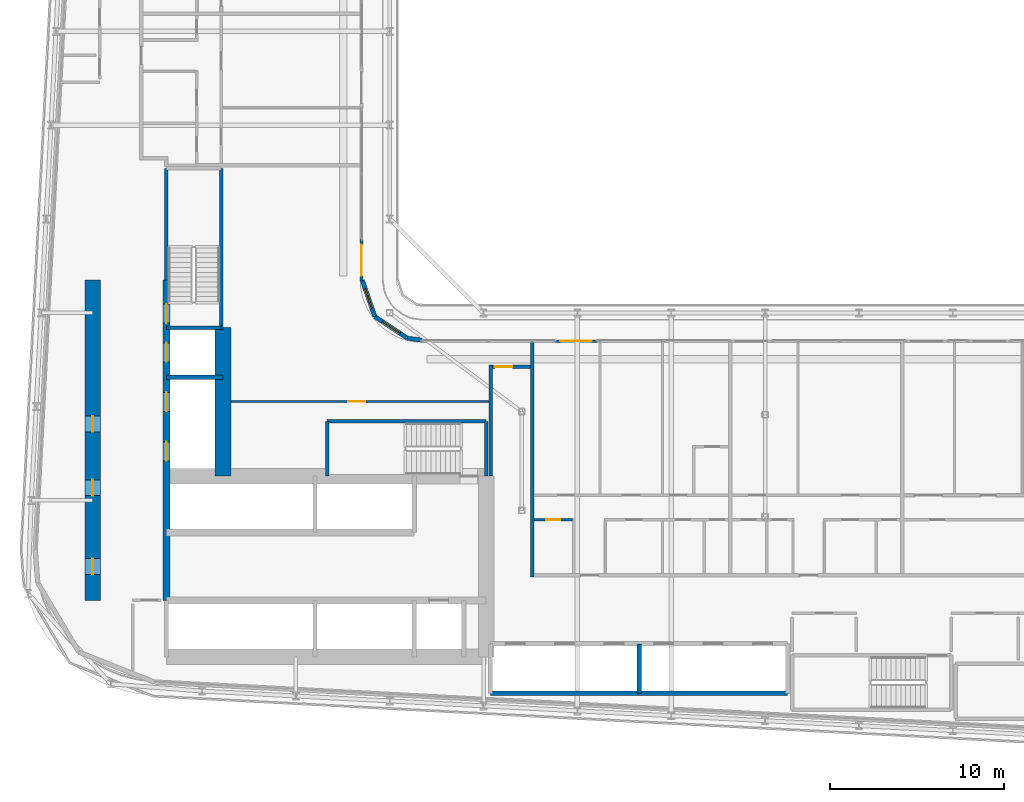
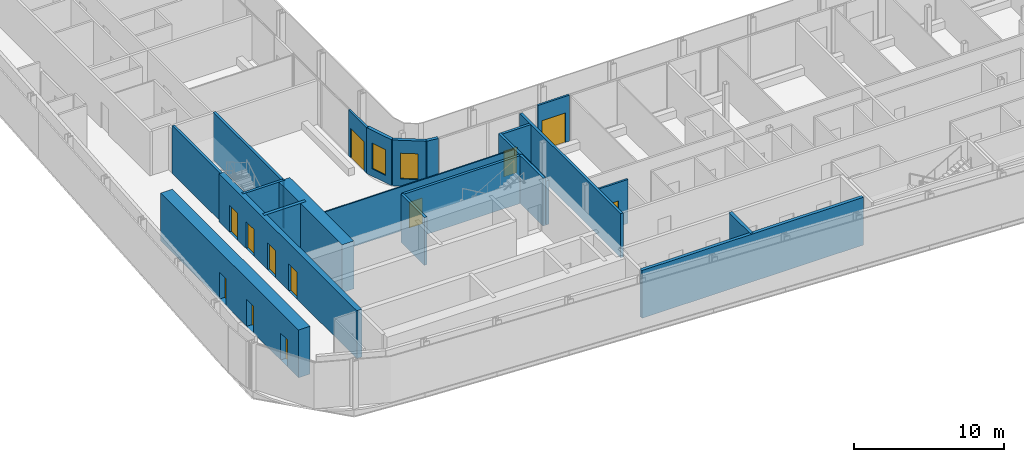
# One storey, part 13 of 28: 23 walls, 12 doors, 2 windows, 14 openings.
"""IFC4 building model written with IfcOpenShell, lengths in metres."""

from ifc_helpers import new_model, si_unit, direction, frame, frame_2d, origin, place, context, subcontext, project, spatial, rectangle, extrude, source, transform, mapped, material, layer, layer_set, type_object, element, fill, save


model = new_model("IFC4")

# Units and contexts
model_context = context("Model", 3, precision=1e-05, world=origin(), true_north=direction((0.0, 1.0)))
body_context = subcontext(model_context, "Body", "Model", "MODEL_VIEW")
ifc_project = project(units=[si_unit("LENGTHUNIT", "METRE"), si_unit("AREAUNIT", "SQUARE_METRE"), si_unit("VOLUMEUNIT", "CUBIC_METRE"), si_unit("PLANEANGLEUNIT", "RADIAN"), si_unit("MASSUNIT", "GRAM", prefix="KILO")], contexts=[model_context])

# Site, building, storey
site_placement = place(None, origin())
site = spatial("IfcSite", under=ifc_project, at=site_placement, CompositionType="ELEMENT")
building_placement = place(site_placement, origin())
building = spatial("IfcBuilding", under=site, at=building_placement, Name="Kheshtan School and Residences Tower", CompositionType="ELEMENT")
storey_placement = place(building_placement, frame((0.0, 0.0, 94.10009765625)))
storey = spatial("IfcBuildingStorey", under=building, at=storey_placement, Name="L21", CompositionType="ELEMENT", Elevation=94.10009765625)

# Wall, openings, doors
ifc_material_1 = material(Name="Concrete C50/60", Category="concrete")
ifc_layer_1 = layer(ifc_material_1, 0.39990234375)
ifc_layer_set_1 = layer_set([ifc_layer_1], Name="Core wall 400 Concrete C50/60")
wall_type_1 = type_object("IfcWallType", Name="Core wall 400 Concrete C50/60", PredefinedType="SHEAR", material=ifc_layer_set_1)
wall_1_placement = place(storey_placement, frame((34.75, 29.050048828125, 0.0), z_axis=(0.0, 0.0, 1.0), x_axis=(0.0, 1.0, 0.0)))
wall_1 = element("IfcWall", 1, at=wall_1_placement, inside=storey, type_object=wall_type_1, Name="Core wall CW-HALL-W1", PredefinedType="SHEAR", context=body_context, shape_type="SweptSolid", body=[
    extrude(rectangle(XDim=18.449951171875, YDim=0.39990234375, at=frame_2d((9.22509765625, 0.0))), origin(), (0.0, 0.0, 1.0), 3.89990234375),
])
opening_1_placement = place(wall_1_placement, frame((8.02490234375, 0.0, 0.0)))
opening_1 = element("IfcOpeningElement", 2, at=opening_1_placement, cuts=wall_1, Name="Opening LD", PredefinedType="OPENING", context=body_context, shape_type="SweptSolid", body=[
    extrude(rectangle(XDim=1.10009765625, YDim=2.199951171875, at=frame_2d((0.550048828125, 1.10009765625))), frame((0.0, 0.2099609375, 0.0), z_axis=(0.0, -1.0, 0.0), x_axis=(1.0, 0.0, 0.0)), (0.0, 0.0, 1.0), 0.419921875),
])
opening_2_placement = place(wall_1_placement, frame((10.875, 0.0, 0.0)))
opening_2 = element("IfcOpeningElement", 3, at=opening_2_placement, cuts=wall_1, Name="Opening LD", PredefinedType="OPENING", context=body_context, shape_type="SweptSolid", body=[
    extrude(rectangle(XDim=1.10009765625, YDim=2.199951171875, at=frame_2d((0.550048828125, 1.10009765625))), frame((0.0, 0.2099609375, 0.0), z_axis=(0.0, -1.0, 0.0), x_axis=(1.0, 0.0, 0.0)), (0.0, 0.0, 1.0), 0.419921875),
])
opening_3_placement = place(wall_1_placement, frame((13.72509765625, 0.0, 0.0)))
opening_3 = element("IfcOpeningElement", 4, at=opening_3_placement, cuts=wall_1, Name="Opening LD", PredefinedType="OPENING", context=body_context, shape_type="SweptSolid", body=[
    extrude(rectangle(XDim=1.10009765625, YDim=2.199951171875, at=frame_2d((0.550048828125, 1.10009765625))), frame((0.0, 0.2099609375, 0.0), z_axis=(0.0, -1.0, 0.0), x_axis=(1.0, 0.0, 0.0)), (0.0, 0.0, 1.0), 0.419921875),
])
opening_4_placement = place(wall_1_placement, frame((15.949951171875, 0.0, 0.0)))
opening_4 = element("IfcOpeningElement", 5, at=opening_4_placement, cuts=wall_1, Name="Opening ST2D", PredefinedType="OPENING", context=body_context, shape_type="SweptSolid", body=[
    extrude(rectangle(XDim=1.10009765625, YDim=2.199951171875, at=frame_2d((0.550048828125, 1.10009765625))), frame((0.0, 0.2099609375, 0.0), z_axis=(0.0, -1.0, 0.0), x_axis=(1.0, 0.0, 0.0)), (0.0, 0.0, 1.0), 0.419921875),
])
ifc_material_2 = material(Name="Stainless steel door leaves", Category="steel")
door_type_1 = type_object("IfcDoorType", Name="Lift landing door 1100", OperationType="SLIDING_TO_LEFT", PredefinedType="DOOR", material=ifc_material_2)
shared_shape_1 = source(origin(), body_context, "Body", "SweptSolid", [
    extrude(rectangle(XDim=1.10009765625, YDim=2.199951171875, at=frame_2d((0.550048828125, 1.10009765625))), frame((0.0, 0.02490234375, 0.0), z_axis=(0.0, -1.0, 0.0), x_axis=(1.0, 0.0, 0.0)), (0.0, 0.0, 1.0), 0.050048828125),
])
door_1_placement = place(opening_1_placement, origin())
door_1 = element("IfcDoor", 6, at=door_1_placement, inside=storey, type_object=door_type_1, Name="Lift SV1 landing door", OperationType="SLIDING_TO_LEFT", OverallHeight=2.199951171875, OverallWidth=1.10009765625, PredefinedType="DOOR", context=body_context, shape_type="MappedRepresentation", body=[
    mapped(shared_shape_1, transform((0.0, 0.0, 0.0), x_axis=(1.0, 0.0, 0.0), y_axis=(0.0, 1.0, 0.0), z_axis=(0.0, 0.0, 1.0), scale=1.0)),
])
fill(opening_1, door_1)
door_2_placement = place(opening_2_placement, origin())
door_2 = element("IfcDoor", 7, at=door_2_placement, inside=storey, type_object=door_type_1, Name="Lift SV2 landing door", OperationType="SLIDING_TO_LEFT", OverallHeight=2.199951171875, OverallWidth=1.10009765625, PredefinedType="DOOR", context=body_context, shape_type="MappedRepresentation", body=[
    mapped(shared_shape_1, transform((0.0, 0.0, 0.0), x_axis=(1.0, 0.0, 0.0), y_axis=(0.0, 1.0, 0.0), z_axis=(0.0, 0.0, 1.0), scale=1.0)),
])
fill(opening_2, door_2)
door_3_placement = place(opening_3_placement, origin())
door_3 = element("IfcDoor", 8, at=door_3_placement, inside=storey, type_object=door_type_1, Name="Lift FFL1 landing door", OperationType="SLIDING_TO_LEFT", OverallHeight=2.199951171875, OverallWidth=1.10009765625, PredefinedType="DOOR", context=body_context, shape_type="MappedRepresentation", body=[
    mapped(shared_shape_1, transform((0.0, 0.0, 0.0), x_axis=(1.0, 0.0, 0.0), y_axis=(0.0, 1.0, 0.0), z_axis=(0.0, 0.0, 1.0), scale=1.0)),
])
fill(opening_3, door_3)
ifc_material_3 = material(Name="Steel door leaf, galvanised", Category="steel")
door_type_2 = type_object("IfcDoorType", Name="Stair door 1100 steel 90 min", OperationType="SINGLE_SWING_LEFT", PredefinedType="DOOR", material=ifc_material_3)
shared_shape_2 = source(origin(), body_context, "Body", "SweptSolid", [
    extrude(rectangle(XDim=1.10009765625, YDim=2.199951171875, at=frame_2d((0.550048828125, 1.10009765625))), frame((0.0, 0.02490234375, 0.0), z_axis=(0.0, -1.0, 0.0), x_axis=(1.0, 0.0, 0.0)), (0.0, 0.0, 1.0), 0.050048828125),
])
door_4_placement = place(opening_4_placement, origin())
door_4 = element("IfcDoor", 9, at=door_4_placement, inside=storey, type_object=door_type_2, Name="Stair ST2 door", OperationType="SINGLE_SWING_RIGHT", OverallHeight=2.199951171875, OverallWidth=1.10009765625, PredefinedType="DOOR", context=body_context, shape_type="MappedRepresentation", body=[
    mapped(shared_shape_2, transform((0.0, 0.0, 0.0), x_axis=(1.0, 0.0, 0.0), y_axis=(0.0, 1.0, 0.0), z_axis=(0.0, 0.0, 1.0), scale=1.0)),
])
fill(opening_4, door_4)

# Wall
ifc_material_4 = material(Name="Concrete C80/95", Category="concrete")
ifc_layer_2 = layer(ifc_material_4, 0.89990234375)
ifc_layer_set_2 = layer_set([ifc_layer_2], Name="Core wall 900 Concrete C80/95")
wall_type_2 = type_object("IfcWallType", Name="Core wall 900 Concrete C80/95", PredefinedType="SHEAR", material=ifc_layer_set_2)
wall_2_placement = place(storey_placement, frame((38.0, 36.199951171875, 0.0), z_axis=(0.0, 0.0, 1.0), x_axis=(0.0, 1.0, 0.0)))
element("IfcWall", 10, at=wall_2_placement, inside=storey, type_object=wall_type_2, Name="Core wall CW-FRONT-W", PredefinedType="SHEAR", context=body_context, shape_type="SweptSolid", body=[
    extrude(rectangle(XDim=8.550048828125, YDim=0.89990234375, at=frame_2d((4.27490234375, 0.0))), origin(), (0.0, 0.0, 1.0), 3.89990234375),
])

# Wall, openings, doors
wall_3_placement = place(storey_placement, frame((30.5, 29.050048828125, 0.0), z_axis=(0.0, 0.0, 1.0), x_axis=(0.0, 1.0, 0.0)))
wall_3 = element("IfcWall", 11, at=wall_3_placement, inside=storey, type_object=wall_type_2, Name="Core wall CW-REAR-W", PredefinedType="SHEAR", context=body_context, shape_type="SweptSolid", body=[
    extrude(rectangle(XDim=18.449951171875, YDim=0.89990234375, at=frame_2d((9.22509765625, 0.0))), origin(), (0.0, 0.0, 1.0), 3.89990234375),
])
opening_5_placement = place(wall_3_placement, frame((1.5, 0.0, 0.0)))
opening_5 = element("IfcOpeningElement", 12, at=opening_5_placement, cuts=wall_3, Name="Opening SR90", PredefinedType="OPENING", context=body_context, shape_type="SweptSolid", body=[
    extrude(rectangle(XDim=0.89990234375, YDim=2.199951171875, at=frame_2d((0.449951171875, 1.10009765625))), frame((0.0, 0.4599609375, 0.0), z_axis=(0.0, -1.0, 0.0), x_axis=(1.0, 0.0, 0.0)), (0.0, 0.0, 1.0), 0.919921875),
])
opening_6_placement = place(wall_3_placement, frame((6.030029296875, 0.0, 0.0)))
opening_6 = element("IfcOpeningElement", 13, at=opening_6_placement, cuts=wall_3, Name="Opening SR90", PredefinedType="OPENING", context=body_context, shape_type="SweptSolid", body=[
    extrude(rectangle(XDim=0.89990234375, YDim=2.199951171875, at=frame_2d((0.449951171875, 1.10009765625))), frame((0.0, 0.4599609375, 0.0), z_axis=(0.0, -1.0, 0.0), x_axis=(1.0, 0.0, 0.0)), (0.0, 0.0, 1.0), 0.919921875),
])
opening_7_placement = place(wall_3_placement, frame((9.699951171875, 0.0, 0.0)))
opening_7 = element("IfcOpeningElement", 14, at=opening_7_placement, cuts=wall_3, Name="Opening SR90", PredefinedType="OPENING", context=body_context, shape_type="SweptSolid", body=[
    extrude(rectangle(XDim=0.89990234375, YDim=2.199951171875, at=frame_2d((0.449951171875, 1.10009765625))), frame((0.0, 0.4599609375, 0.0), z_axis=(0.0, -1.0, 0.0), x_axis=(1.0, 0.0, 0.0)), (0.0, 0.0, 1.0), 0.919921875),
])
door_type_3 = type_object("IfcDoorType", Name="Service room door 900 steel 90 min", OperationType="SINGLE_SWING_LEFT", PredefinedType="DOOR", material=ifc_material_3)
shared_shape_3 = source(origin(), body_context, "Body", "SweptSolid", [
    extrude(rectangle(XDim=0.89990234375, YDim=2.199951171875, at=frame_2d((0.449951171875, 1.10009765625))), frame((0.0, 0.02490234375, 0.0), z_axis=(0.0, -1.0, 0.0), x_axis=(1.0, 0.0, 0.0)), (0.0, 0.0, 1.0), 0.050048828125),
])
door_5_placement = place(opening_5_placement, origin())
door_5 = element("IfcDoor", 15, at=door_5_placement, inside=storey, type_object=door_type_3, Name="Service room door", OperationType="SINGLE_SWING_LEFT", OverallHeight=2.199951171875, OverallWidth=0.89990234375, PredefinedType="DOOR", context=body_context, shape_type="MappedRepresentation", body=[
    mapped(shared_shape_3, transform((0.0, 0.0, 0.0), x_axis=(1.0, 0.0, 0.0), y_axis=(0.0, 1.0, 0.0), z_axis=(0.0, 0.0, 1.0), scale=1.0)),
])
fill(opening_5, door_5)
door_6_placement = place(opening_6_placement, origin())
door_6 = element("IfcDoor", 16, at=door_6_placement, inside=storey, type_object=door_type_3, Name="Service room door", OperationType="SINGLE_SWING_RIGHT", OverallHeight=2.199951171875, OverallWidth=0.89990234375, PredefinedType="DOOR", context=body_context, shape_type="MappedRepresentation", body=[
    mapped(shared_shape_3, transform((0.0, 0.0, 0.0), x_axis=(1.0, 0.0, 0.0), y_axis=(0.0, 1.0, 0.0), z_axis=(0.0, 0.0, 1.0), scale=1.0)),
])
fill(opening_6, door_6)
door_7_placement = place(opening_7_placement, origin())
door_7 = element("IfcDoor", 17, at=door_7_placement, inside=storey, type_object=door_type_3, Name="Service room door", OperationType="SINGLE_SWING_LEFT", OverallHeight=2.199951171875, OverallWidth=0.89990234375, PredefinedType="DOOR", context=body_context, shape_type="MappedRepresentation", body=[
    mapped(shared_shape_3, transform((0.0, 0.0, 0.0), x_axis=(1.0, 0.0, 0.0), y_axis=(0.0, 1.0, 0.0), z_axis=(0.0, 0.0, 1.0), scale=1.0)),
])
fill(opening_7, door_7)

# Wall
ifc_material_5 = material(Name="Gypsum board on steel studs with fire boards", Category="steel")
ifc_layer_3 = layer(ifc_material_5, 0.199951171875)
ifc_layer_set_3 = layer_set([ifc_layer_3], Name="Corridor wall 200")
wall_type_3 = type_object("IfcWallType", Name="Corridor wall 200", PredefinedType="PARTITIONING", material=ifc_layer_set_3)
wall_4_placement = place(storey_placement, frame((53.39990234375, 36.198974609375, 0.0), z_axis=(0.0, 0.0, 1.0), x_axis=(0.0, 1.0, 0.0)))
element("IfcWall", 18, at=wall_4_placement, inside=storey, type_object=wall_type_3, Name="Partition L21-030", PredefinedType="PARTITIONING", context=body_context, shape_type="SweptSolid", body=[
    extrude(rectangle(XDim=6.401123046875, YDim=0.199951171875, at=frame_2d((3.20068359375, 0.0))), origin(), (0.0, 0.0, 1.0), 3.599853515625),
])

# Wall, opening, door
wall_5_placement = place(storey_placement, frame((53.5, 42.5, 0.0), z_axis=(0.0, 0.0, 1.0), x_axis=(1.0, 0.0, 0.0)))
wall_5 = element("IfcWall", 19, at=wall_5_placement, inside=storey, type_object=wall_type_3, Name="Partition L21-031", PredefinedType="PARTITIONING", context=body_context, shape_type="SweptSolid", body=[
    extrude(rectangle(XDim=2.199951171875, YDim=0.199951171875, at=frame_2d((1.10009765625, 0.0))), origin(), (0.0, 0.0, 1.0), 3.599853515625),
])
opening_8_placement = place(wall_5_placement, frame((0.14990234375, 0.0, 0.0)))
opening_8 = element("IfcOpeningElement", 20, at=opening_8_placement, cuts=wall_5, Name="Opening D21-050", PredefinedType="OPENING", context=body_context, shape_type="SweptSolid", body=[
    extrude(rectangle(XDim=1.0, YDim=2.10009765625, at=frame_2d((0.5, 1.050048828125))), frame((0.0, 0.10986328125, 0.0), z_axis=(0.0, -1.0, 0.0), x_axis=(1.0, 0.0, 0.0)), (0.0, 0.0, 1.0), 0.219970703125),
])
ifc_material_6 = material(Name="Steel-framed fire-resisting door leaf", Category="steel")
door_type_4 = type_object("IfcDoorType", Name="Fire door FD60 1000 x 2100", OperationType="SINGLE_SWING_LEFT", PredefinedType="DOOR", material=ifc_material_6)
shared_shape_4 = source(origin(), body_context, "Body", "SweptSolid", [
    extrude(rectangle(XDim=1.0, YDim=2.10009765625, at=frame_2d((0.5, 1.050048828125))), frame((0.0, 0.02490234375, 0.0), z_axis=(0.0, -1.0, 0.0), x_axis=(1.0, 0.0, 0.0)), (0.0, 0.0, 1.0), 0.050048828125),
])
door_8_placement = place(opening_8_placement, origin())
door_8 = element("IfcDoor", 21, at=door_8_placement, inside=storey, type_object=door_type_4, Name="Door D21-050", OperationType="SINGLE_SWING_RIGHT", OverallHeight=2.10009765625, OverallWidth=1.0, PredefinedType="DOOR", context=body_context, shape_type="MappedRepresentation", body=[
    mapped(shared_shape_4, transform((0.0, 0.0, 0.0), x_axis=(1.0, 0.0, 0.0), y_axis=(0.0, 1.0, 0.0), z_axis=(0.0, 0.0, 1.0), scale=1.0)),
])
fill(opening_8, door_8)

# Wall, opening, window
ifc_material_7 = material(Name="Concrete C40/50 with ceramic cladding and mineral wool insulation", Category="concrete")
ifc_layer_4 = layer(ifc_material_7, 0.25)
ifc_layer_set_4 = layer_set([ifc_layer_4], Name="External wall 250 ceramic clad")
wall_type_4 = type_object("IfcWallType", Name="External wall 250 ceramic clad", PredefinedType="SOLIDWALL", material=ifc_layer_set_4)
wall_6_placement = place(storey_placement, frame((46.01806640625, 47.470947265625, 0.0), z_axis=(0.0, 0.0, 1.0), x_axis=(0.328791208903, -0.944402637093, 0.0)))
wall_6 = element("IfcWall", 22, at=wall_6_placement, inside=storey, type_object=wall_type_4, Name="External wall L21 5", PredefinedType="SOLIDWALL", context=body_context, shape_type="SweptSolid", body=[
    extrude(rectangle(XDim=2.20458984375, YDim=0.25, at=frame_2d((1.102294921875, 0.0))), origin(), (0.0, 0.0, 1.0), 3.75),
])
opening_9_placement = place(wall_6_placement, frame((0.5029296875, 0.0, 0.60009765625)))
opening_9 = element("IfcOpeningElement", 23, at=opening_9_placement, cuts=wall_6, Name="Opening WN-E", PredefinedType="OPENING", context=body_context, shape_type="SweptSolid", body=[
    extrude(rectangle(XDim=1.199951171875, YDim=2.10009765625, at=frame_2d((0.60009765625, 1.050048828125))), frame((0.0, 0.135009765625, 0.0), z_axis=(0.0, -1.0, 0.0), x_axis=(1.0, 0.0, 0.0)), (0.0, 0.0, 1.0), 0.27001953125),
])
ifc_material_8 = material(Name="Clear low-e glass in thermally broken aluminium frame", Category="aluminium")
window_type = type_object("IfcWindowType", Name="Window WN-E", PartitioningType="SINGLE_PANEL", PredefinedType="WINDOW", material=ifc_material_8)
shared_shape_5 = source(origin(), body_context, "Body", "SweptSolid", [
    extrude(rectangle(XDim=1.199951171875, YDim=2.10009765625, at=frame_2d((0.60009765625, 1.050048828125))), frame((0.0, 0.030029296875, 0.0), z_axis=(0.0, -1.0, 0.0), x_axis=(1.0, 0.0, 0.0)), (0.0, 0.0, 1.0), 0.06005859375),
])
window_1_placement = place(opening_9_placement, origin())
window_1 = element("IfcWindow", 24, at=window_1_placement, inside=storey, type_object=window_type, Name="Window L21 5", OverallHeight=2.10009765625, OverallWidth=1.199951171875, PartitioningType="SINGLE_PANEL", PredefinedType="WINDOW", context=body_context, shape_type="MappedRepresentation", body=[
    mapped(shared_shape_5, transform((0.0, 0.0, 0.0), x_axis=(1.0, 0.0, 0.0), y_axis=(0.0, 1.0, 0.0), z_axis=(0.0, 0.0, 1.0), scale=1.0)),
])
fill(opening_9, window_1)

wall_7_placement = place(storey_placement, frame((46.742919921875, 45.388916015625, 0.0), z_axis=(0.0, 0.0, 1.0), x_axis=(0.831449265529, -0.555600682912, 0.0)))
wall_7 = element("IfcWall", 25, at=wall_7_placement, inside=storey, type_object=wall_type_4, Name="External wall L21 6", PredefinedType="SOLIDWALL", context=body_context, shape_type="SweptSolid", body=[
    extrude(rectangle(XDim=2.25146484375, YDim=0.25, at=frame_2d((1.125732421875, 0.0))), origin(), (0.0, 0.0, 1.0), 3.75),
])
opening_10_placement = place(wall_7_placement, frame((0.52490234375, 0.0, 0.60009765625)))
opening_10 = element("IfcOpeningElement", 26, at=opening_10_placement, cuts=wall_7, Name="Opening WN-E", PredefinedType="OPENING", context=body_context, shape_type="SweptSolid", body=[
    extrude(rectangle(XDim=1.199951171875, YDim=2.10009765625, at=frame_2d((0.60009765625, 1.050048828125))), frame((0.0, 0.135009765625, 0.0), z_axis=(0.0, -1.0, 0.0), x_axis=(1.0, 0.0, 0.0)), (0.0, 0.0, 1.0), 0.27001953125),
])
window_2_placement = place(opening_10_placement, origin())
window_2 = element("IfcWindow", 27, at=window_2_placement, inside=storey, type_object=window_type, Name="Window L21 6", OverallHeight=2.10009765625, OverallWidth=1.199951171875, PartitioningType="SINGLE_PANEL", PredefinedType="WINDOW", context=body_context, shape_type="MappedRepresentation", body=[
    mapped(shared_shape_5, transform((0.0, 0.0, 0.0), x_axis=(1.0, 0.0, 0.0), y_axis=(0.0, 1.0, 0.0), z_axis=(0.0, 0.0, 1.0), scale=1.0)),
])
fill(opening_10, window_2)

# Wall
wall_8_placement = place(storey_placement, frame((48.614990234375, 44.137939453125, 0.0), z_axis=(0.0, 0.0, 1.0), x_axis=(0.990741504246, -0.135761819977, 0.0)))
element("IfcWall", 28, at=wall_8_placement, inside=storey, type_object=wall_type_4, Name="External wall L21 7", PredefinedType="SOLIDWALL", context=body_context, shape_type="SweptSolid", body=[
    extrude(rectangle(XDim=0.83984375, YDim=0.25, at=frame_2d((0.419921875, 0.0))), origin(), (0.0, 0.0, 1.0), 3.75),
])

# Wall, opening, door
ifc_material_9 = material(Name="Aluminium frame wall with insulated infill", Category="aluminium")
ifc_layer_5 = layer(ifc_material_9, 0.14990234375)
ifc_layer_set_5 = layer_set([ifc_layer_5], Name="Glazing frame wall 150")
wall_type_5 = type_object("IfcWallType", Name="Glazing frame wall 150", PredefinedType="SOLIDWALL", material=ifc_layer_set_5)
wall_9_placement = place(storey_placement, frame((45.97509765625, 49.830078125, 0.0), z_axis=(0.0, 0.0, 1.0), x_axis=(0.0, -1.0, 0.0)))
wall_9 = element("IfcWall", 29, at=wall_9_placement, inside=storey, type_object=wall_type_5, Name="Balcony door wall L21 4.4", PredefinedType="SOLIDWALL", context=body_context, shape_type="SweptSolid", body=[
    extrude(rectangle(XDim=2.400146484375, YDim=0.14990234375, at=frame_2d((1.2001953125, 0.0))), origin(), (0.0, 0.0, 1.0), 3.75),
])
opening_11_placement = place(wall_9_placement, frame((0.300048828125, 0.0, 0.0)))
opening_11 = element("IfcOpeningElement", 30, at=opening_11_placement, cuts=wall_9, Name="Opening BD", PredefinedType="OPENING", context=body_context, shape_type="SweptSolid", body=[
    extrude(rectangle(XDim=1.800048828125, YDim=2.39990234375, at=frame_2d((0.89990234375, 1.199951171875))), frame((0.0, 0.0849609375, 0.0), z_axis=(0.0, -1.0, 0.0), x_axis=(1.0, 0.0, 0.0)), (0.0, 0.0, 1.0), 0.169921875),
])
door_type_5 = type_object("IfcDoorType", Name="Balcony sliding door", OperationType="SLIDING_TO_LEFT", PredefinedType="DOOR", material=ifc_material_8)
shared_shape_6 = source(origin(), body_context, "Body", "SweptSolid", [
    extrude(rectangle(XDim=1.800048828125, YDim=2.39990234375, at=frame_2d((0.89990234375, 1.199951171875))), frame((0.0, 0.02490234375, 0.0), z_axis=(0.0, -1.0, 0.0), x_axis=(1.0, 0.0, 0.0)), (0.0, 0.0, 1.0), 0.050048828125),
])
door_9_placement = place(opening_11_placement, origin())
door_9 = element("IfcDoor", 31, at=door_9_placement, inside=storey, type_object=door_type_5, Name="Balcony door L21 4.4", OperationType="SLIDING_TO_LEFT", OverallHeight=2.39990234375, OverallWidth=1.800048828125, PredefinedType="DOOR", context=body_context, shape_type="MappedRepresentation", body=[
    mapped(shared_shape_6, transform((0.0, 0.0, 0.0), x_axis=(1.0, 0.0, 0.0), y_axis=(0.0, 1.0, 0.0), z_axis=(0.0, 0.0, 1.0), scale=1.0)),
])
fill(opening_11, door_9)

wall_10_placement = place(storey_placement, frame((57.1240234375, 43.97509765625, 0.0), z_axis=(0.0, 0.0, 1.0), x_axis=(1.0, 0.0, 0.0)))
wall_10 = element("IfcWall", 32, at=wall_10_placement, inside=storey, type_object=wall_type_5, Name="Balcony door wall L21 8.1", PredefinedType="SOLIDWALL", context=body_context, shape_type="SweptSolid", body=[
    extrude(rectangle(XDim=2.39990234375, YDim=0.14990234375, at=frame_2d((1.199951171875, 0.0))), origin(), (0.0, 0.0, 1.0), 3.75),
])
opening_12_placement = place(wall_10_placement, frame((0.300048828125, 0.0, 0.0)))
opening_12 = element("IfcOpeningElement", 33, at=opening_12_placement, cuts=wall_10, Name="Opening BD", PredefinedType="OPENING", context=body_context, shape_type="SweptSolid", body=[
    extrude(rectangle(XDim=1.800048828125, YDim=2.39990234375, at=frame_2d((0.89990234375, 1.199951171875))), frame((0.0, 0.0849609375, 0.0), z_axis=(0.0, -1.0, 0.0), x_axis=(1.0, 0.0, 0.0)), (0.0, 0.0, 1.0), 0.169921875),
])
door_10_placement = place(opening_12_placement, origin())
door_10 = element("IfcDoor", 34, at=door_10_placement, inside=storey, type_object=door_type_5, Name="Balcony door L21 8.1", OperationType="SLIDING_TO_LEFT", OverallHeight=2.39990234375, OverallWidth=1.800048828125, PredefinedType="DOOR", context=body_context, shape_type="MappedRepresentation", body=[
    mapped(shared_shape_6, transform((0.0, 0.0, 0.0), x_axis=(1.0, 0.0, 0.0), y_axis=(0.0, 1.0, 0.0), z_axis=(0.0, 0.0, 1.0), scale=1.0)),
])
fill(opening_12, door_10)

ifc_material_10 = material(Name="Gypsum board on steel studs", Category="steel")
ifc_layer_6 = layer(ifc_material_10, 0.10009765625)
ifc_layer_set_6 = layer_set([ifc_layer_6], Name="Gypsum partition 100")
wall_type_6 = type_object("IfcWallType", Name="Gypsum partition 100", PredefinedType="PARTITIONING", material=ifc_layer_set_6)
wall_11_placement = place(storey_placement, frame((38.448974609375, 40.5, 0.0), z_axis=(0.0, 0.0, 1.0), x_axis=(1.0, 0.0, 0.0)))
wall_11 = element("IfcWall", 35, at=wall_11_placement, inside=storey, type_object=wall_type_6, Name="Partition L21-028", PredefinedType="PARTITIONING", context=body_context, shape_type="SweptSolid", body=[
    extrude(rectangle(XDim=14.85107421875, YDim=0.10009765625, at=frame_2d((7.425537109375, 0.0))), origin(), (0.0, 0.0, 1.0), 3.599853515625),
])
opening_13_placement = place(wall_11_placement, frame((6.7509765625, 0.0, 0.0)))
opening_13 = element("IfcOpeningElement", 36, at=opening_13_placement, cuts=wall_11, Name="Opening D21-049", PredefinedType="OPENING", context=body_context, shape_type="SweptSolid", body=[
    extrude(rectangle(XDim=1.0, YDim=2.10009765625, at=frame_2d((0.5, 1.050048828125))), frame((0.0, 0.06005859375, 0.0), z_axis=(0.0, -1.0, 0.0), x_axis=(1.0, 0.0, 0.0)), (0.0, 0.0, 1.0), 0.1201171875),
])
ifc_material_11 = material(Name="Veneered timber door leaf", Category="wood")
door_type_6 = type_object("IfcDoorType", Name="Door 1000 x 2100", OperationType="SINGLE_SWING_LEFT", PredefinedType="DOOR", material=ifc_material_11)
shared_shape_7 = source(origin(), body_context, "Body", "SweptSolid", [
    extrude(rectangle(XDim=1.0, YDim=2.10009765625, at=frame_2d((0.5, 1.050048828125))), frame((0.0, 0.02490234375, 0.0), z_axis=(0.0, -1.0, 0.0), x_axis=(1.0, 0.0, 0.0)), (0.0, 0.0, 1.0), 0.050048828125),
])
door_11_placement = place(opening_13_placement, origin())
door_11 = element("IfcDoor", 37, at=door_11_placement, inside=storey, type_object=door_type_6, Name="Door D21-049", OperationType="SINGLE_SWING_LEFT", OverallHeight=2.10009765625, OverallWidth=1.0, PredefinedType="DOOR", context=body_context, shape_type="MappedRepresentation", body=[
    mapped(shared_shape_7, transform((0.0, 0.0, 0.0), x_axis=(1.0, 0.0, 0.0), y_axis=(0.0, 1.0, 0.0), z_axis=(0.0, 0.0, 1.0), scale=1.0)),
])
fill(opening_13, door_11)

# Walls
ifc_material_12 = material(Name="Fire-board shaft wall system")
ifc_layer_7 = layer(ifc_material_12, 0.25)
ifc_layer_set_7 = layer_set([ifc_layer_7], Name="Shaft lining wall 250")
wall_type_7 = type_object("IfcWallType", Name="Shaft lining wall 250", PredefinedType="PARTITIONING", material=ifc_layer_set_7)
wall_12_placement = place(storey_placement, frame((61.949951171875, 23.699951171875, 0.0), z_axis=(0.0, 0.0, 1.0), x_axis=(0.0, 1.0, 0.0)))
element("IfcWall", 38, at=wall_12_placement, inside=storey, type_object=wall_type_7, Name="Shaft lining wall", PredefinedType="PARTITIONING", context=body_context, shape_type="SweptSolid", body=[
    extrude(rectangle(XDim=2.85009765625, YDim=0.25, at=frame_2d((1.425048828125, 0.0))), origin(), (0.0, 0.0, 1.0), 3.89990234375),
])
wall_13_placement = place(storey_placement, frame((53.39990234375, 23.699951171875, 0.0), z_axis=(0.0, 0.0, 1.0), x_axis=(1.0, 0.0, 0.0)))
element("IfcWall", 39, at=wall_13_placement, inside=storey, type_object=wall_type_7, Name="Shaft lining wall", PredefinedType="PARTITIONING", context=body_context, shape_type="SweptSolid", body=[
    extrude(rectangle(XDim=17.10009765625, YDim=0.25, at=frame_2d((8.550048828125, 0.0))), origin(), (0.0, 0.0, 1.0), 3.89990234375),
])
wall_14_placement = place(storey_placement, frame((34.75, 41.89990234375, 0.0), z_axis=(0.0, 0.0, 1.0), x_axis=(1.0, 0.0, 0.0)))
element("IfcWall", 40, at=wall_14_placement, inside=storey, type_object=wall_type_7, Name="Shaft lining wall", PredefinedType="PARTITIONING", context=body_context, shape_type="SweptSolid", body=[
    extrude(rectangle(XDim=3.25, YDim=0.25, at=frame_2d((1.625, 0.0))), origin(), (0.0, 0.0, 1.0), 3.89990234375),
])
wall_15_placement = place(storey_placement, frame((37.89990234375, 44.75, 0.0), z_axis=(0.0, 0.0, 1.0), x_axis=(1.0, 0.0, 0.0)))
element("IfcWall", 41, at=wall_15_placement, inside=storey, type_object=wall_type_7, Name="Shaft lining wall", PredefinedType="PARTITIONING", context=body_context, shape_type="SweptSolid", body=[
    extrude(rectangle(XDim=0.10009765625, YDim=0.25, at=frame_2d((0.050048828125, 0.0))), origin(), (0.0, 0.0, 1.0), 3.89990234375),
])
ifc_material_13 = material(Name="Concrete C40/50", Category="concrete")
ifc_layer_8 = layer(ifc_material_13, 0.199951171875)
ifc_layer_set_8 = layer_set([ifc_layer_8], Name="Stair enclosure wall 200 Concrete C40/50")
wall_type_8 = type_object("IfcWallType", Name="Stair enclosure wall 200 Concrete C40/50", PredefinedType="SHEAR", material=ifc_layer_set_8)
wall_16_placement = place(storey_placement, frame((43.989990234375, 39.35009765625, 0.0), z_axis=(0.0, 0.0, 1.0), x_axis=(1.0, 0.0, 0.0)))
element("IfcWall", 42, at=wall_16_placement, inside=storey, type_object=wall_type_8, Name="Stair enclosure wall ST1", PredefinedType="SHEAR", context=body_context, shape_type="SweptSolid", body=[
    extrude(rectangle(XDim=9.159912109375, YDim=0.199951171875, at=frame_2d((4.580078125, 0.0))), origin(), (0.0, 0.0, 1.0), 3.89990234375),
])
for number, where, z_axis, x_axis, name in (
    (43, (43.989990234375, 36.199951171875, 0.0), (0.0, 0.0, 1.0), (0.0, 1.0, 0.0), "Stair enclosure wall ST1"),
    (44, (53.14990234375, 36.199951171875, 0.0), (0.0, 0.0, 1.0), (0.0, 1.0, 0.0), "Stair enclosure wall ST1"),
):
    element("IfcWall", number, at=place(storey_placement, frame(where, z_axis=z_axis, x_axis=x_axis)), inside=storey, type_object=wall_type_8, Name=name, PredefinedType="SHEAR", context=body_context, shape_type="SweptSolid", body=[
        extrude(rectangle(XDim=3.150146484375, YDim=0.199951171875, at=frame_2d((1.5751953125, 0.0))), origin(), (0.0, 0.0, 1.0), 3.89990234375),
    ])
wall_17_placement = place(storey_placement, frame((34.75, 44.75, 0.0), z_axis=(0.0, 0.0, 1.0), x_axis=(1.0, 0.0, 0.0)))
element("IfcWall", 45, at=wall_17_placement, inside=storey, type_object=wall_type_8, Name="Stair enclosure wall ST2", PredefinedType="SHEAR", context=body_context, shape_type="SweptSolid", body=[
    extrude(rectangle(XDim=3.14990234375, YDim=0.199951171875, at=frame_2d((1.574951171875, 0.0))), origin(), (0.0, 0.0, 1.0), 3.89990234375),
])
wall_18_placement = place(storey_placement, frame((34.75, 47.5, 0.0), z_axis=(0.0, 0.0, 1.0), x_axis=(0.0, 1.0, 0.0)))
element("IfcWall", 46, at=wall_18_placement, inside=storey, type_object=wall_type_8, Name="Stair enclosure wall ST2", PredefinedType="SHEAR", context=body_context, shape_type="SweptSolid", body=[
    extrude(rectangle(XDim=6.409912109375, YDim=0.199951171875, at=frame_2d((3.205078125, 0.0))), origin(), (0.0, 0.0, 1.0), 3.89990234375),
])
wall_19_placement = place(storey_placement, frame((37.89990234375, 44.75, 0.0), z_axis=(0.0, 0.0, 1.0), x_axis=(0.0, 1.0, 0.0)))
element("IfcWall", 47, at=wall_19_placement, inside=storey, type_object=wall_type_8, Name="Stair enclosure wall ST2", PredefinedType="SHEAR", context=body_context, shape_type="SweptSolid", body=[
    extrude(rectangle(XDim=9.159912109375, YDim=0.199951171875, at=frame_2d((4.580078125, 0.0))), origin(), (0.0, 0.0, 1.0), 3.89990234375),
])
ifc_material_14 = material(Name="Twin gypsum board on steel studs with mineral wool", Category="steel")
ifc_layer_9 = layer(ifc_material_14, 0.199951171875)
ifc_layer_set_9 = layer_set([ifc_layer_9], Name="Unit demising wall 200")
wall_type_9 = type_object("IfcWallType", Name="Unit demising wall 200", PredefinedType="PARTITIONING", material=ifc_layer_set_9)
wall_20_placement = place(storey_placement, frame((55.800048828125, 30.39990234375, 0.0), z_axis=(0.0, 0.0, 1.0), x_axis=(0.0, 1.0, 0.0)))
element("IfcWall", 48, at=wall_20_placement, inside=storey, type_object=wall_type_9, Name="Partition L21-032", PredefinedType="PARTITIONING", context=body_context, shape_type="SweptSolid", body=[
    extrude(rectangle(XDim=13.5, YDim=0.199951171875, at=frame_2d((6.75, 0.0))), origin(), (0.0, 0.0, 1.0), 3.599853515625),
])

# Wall, opening, door
ifc_material_15 = material(Name="Moisture-resistant gypsum board on steel studs", Category="steel")
ifc_layer_10 = layer(ifc_material_15, 0.14990234375)
ifc_layer_set_10 = layer_set([ifc_layer_10], Name="Wet-room partition 150")
wall_type_10 = type_object("IfcWallType", Name="Wet-room partition 150", PredefinedType="PARTITIONING", material=ifc_layer_set_10)
wall_21_placement = place(storey_placement, frame((55.89990234375, 33.699951171875, 0.0), z_axis=(0.0, 0.0, 1.0), x_axis=(1.0, 0.0, 0.0)))
wall_21 = element("IfcWall", 49, at=wall_21_placement, inside=storey, type_object=wall_type_10, Name="Partition L21-034", PredefinedType="PARTITIONING", context=body_context, shape_type="SweptSolid", body=[
    extrude(rectangle(XDim=2.22509765625, YDim=0.14990234375, at=frame_2d((1.112548828125, 0.0))), origin(), (0.0, 0.0, 1.0), 3.599853515625),
])
opening_14_placement = place(wall_21_placement, frame((0.699951171875, 0.0, 0.0)))
opening_14 = element("IfcOpeningElement", 50, at=opening_14_placement, cuts=wall_21, Name="Opening D21-001", PredefinedType="OPENING", context=body_context, shape_type="SweptSolid", body=[
    extrude(rectangle(XDim=0.800048828125, YDim=2.10009765625, at=frame_2d((0.39990234375, 1.050048828125))), frame((0.0, 0.0849609375, 0.0), z_axis=(0.0, -1.0, 0.0), x_axis=(1.0, 0.0, 0.0)), (0.0, 0.0, 1.0), 0.169921875),
])
door_type_7 = type_object("IfcDoorType", Name="Door 800 x 2100", OperationType="SINGLE_SWING_LEFT", PredefinedType="DOOR", material=ifc_material_11)
shared_shape_8 = source(origin(), body_context, "Body", "SweptSolid", [
    extrude(rectangle(XDim=0.800048828125, YDim=2.10009765625, at=frame_2d((0.39990234375, 1.050048828125))), frame((0.0, 0.02490234375, 0.0), z_axis=(0.0, -1.0, 0.0), x_axis=(1.0, 0.0, 0.0)), (0.0, 0.0, 1.0), 0.050048828125),
])
door_12_placement = place(opening_14_placement, origin())
door_12 = element("IfcDoor", 51, at=door_12_placement, inside=storey, type_object=door_type_7, Name="Door D21-001", OperationType="SINGLE_SWING_RIGHT", OverallHeight=2.10009765625, OverallWidth=0.800048828125, PredefinedType="DOOR", context=body_context, shape_type="MappedRepresentation", body=[
    mapped(shared_shape_8, transform((0.0, 0.0, 0.0), x_axis=(1.0, 0.0, 0.0), y_axis=(0.0, 1.0, 0.0), z_axis=(0.0, 0.0, 1.0), scale=1.0)),
])
fill(opening_14, door_12)

save(model, "model.ifc")
